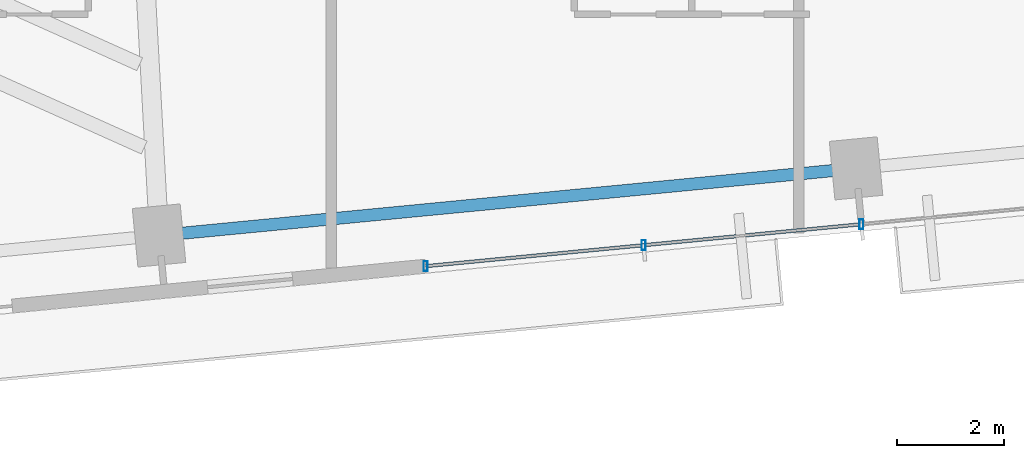
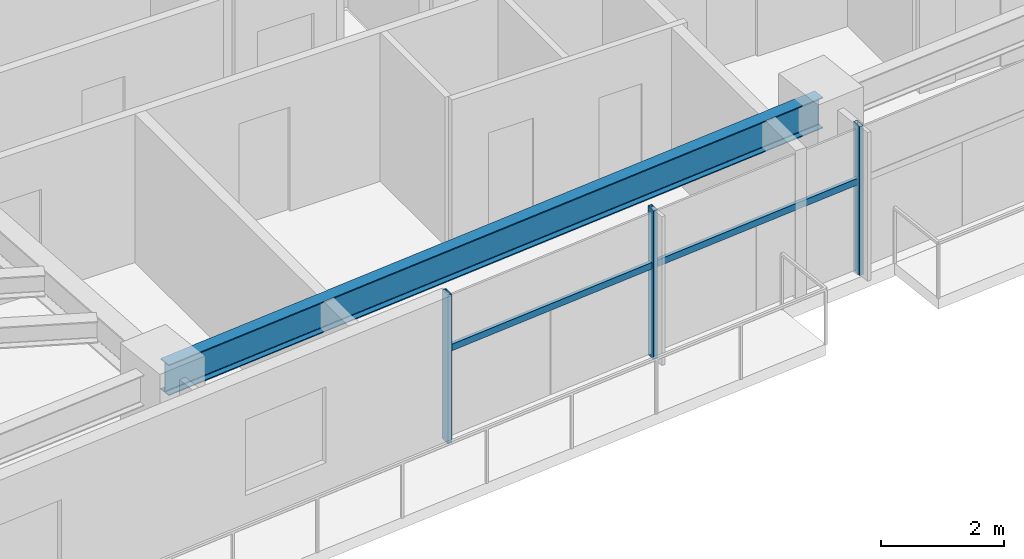
# One storey, part 6 of 27: 5 members, 1 beam, 1 element without a shape of its own.
"""IFC4 building model written with IfcOpenShell, lengths in metres."""

from ifc_helpers import new_model, si_unit, direction, frame, origin, origin_2d, place, context, subcontext, project, spatial, hollow_rectangle, i_section, extrude, source, transform, mapped, material, material_profile, profile_set, type_object, type_shapes, element, aggregate, save


model = new_model("IFC4")

# Units and contexts
model_context = context("Model", 3, precision=1e-05, world=origin(), true_north=direction((0.0, 1.0)))
body_context = subcontext(model_context, "Body", "Model", "MODEL_VIEW")
ifc_project = project(units=[si_unit("LENGTHUNIT", "METRE"), si_unit("AREAUNIT", "SQUARE_METRE"), si_unit("VOLUMEUNIT", "CUBIC_METRE"), si_unit("PLANEANGLEUNIT", "RADIAN"), si_unit("MASSUNIT", "GRAM", prefix="KILO")], contexts=[model_context])

# Site, building, storey
site_placement = place(None, origin())
site = spatial("IfcSite", under=ifc_project, at=site_placement, CompositionType="ELEMENT")
building_placement = place(site_placement, origin())
building = spatial("IfcBuilding", under=site, at=building_placement, Name="Astriad Promenade Condominiums", CompositionType="ELEMENT")
storey_placement = place(building_placement, frame((0.0, 0.0, 113.0)))
storey = spatial("IfcBuildingStorey", under=building, at=storey_placement, Name="L32", CompositionType="ELEMENT", Elevation=113.0)

# Beam
ifc_material_1 = material(Name="Steel ASTM A992 Grade 50", Category="steel")
ifc_material_profile_1 = material_profile(ifc_material_1, i_section(OverallWidth=0.22900390625, OverallDepth=0.612060546875, WebThickness=0.011962890625, FlangeThickness=0.01953125, FilletRadius=0.017822265625, at=origin_2d()), Name="W24X84")
ifc_profile_set_1 = profile_set([ifc_material_profile_1], Name="Steel ASTM A992 Grade 50")
beam_type = type_object("IfcBeamType", Name="STEEL SPANDREL BEAM W24X84", PredefinedType="SPANDREL", material=ifc_profile_set_1)
shared_shape_1 = source(origin(), body_context, "Body", "SweptSolid", [
    extrude(i_section(OverallWidth=0.22900390625, OverallDepth=0.612060546875, WebThickness=0.011962890625, FlangeThickness=0.01953125, FilletRadius=0.017822265625, at=origin_2d()), origin(), (0.0, 0.0, 1.0), 13.020263671875),
])
type_shapes(beam_type, [shared_shape_1])
beam_placement = place(storey_placement, frame((27.04541015625, 6.268798828125, 2.6337890625), z_axis=(0.995395311238, 0.095854965264, 0.0), x_axis=(-0.095854965264, 0.995395311238, 0.0)))
element("IfcBeam", 1, at=beam_placement, inside=storey, type_object=beam_type, Name="Perimeter Spandrel Beam SP-S2-L32", PredefinedType="SPANDREL", context=body_context, shape_type="MappedRepresentation", body=[
    mapped(shared_shape_1, transform((0.0, 0.0, 0.0), scale=1.0)),
])

# Curtain wall, members
ifc_material_2 = material(Name="Anodised aluminium Black Dark Glass Unitised", Category="aluminium")
curtain_wall_type = type_object("IfcCurtainWallType", Name="CW-B2-DARK", PredefinedType="USERDEFINED", material=ifc_material_2)
curtain_wall_placement = place(storey_placement, origin())
curtain_wall = element("IfcCurtainWall", 2, at=curtain_wall_placement, inside=storey, type_object=curtain_wall_type, Name="CW-L32-S", ObjectType="UNITISED_CURTAIN_WALL", PredefinedType="USERDEFINED")
ifc_material_3 = material(Name="Anodised aluminium 6063-T6 Black", Category="aluminium")
ifc_material_profile_2 = material_profile(ifc_material_3, hollow_rectangle(XDim=0.074951171875, YDim=0.18505859375, WallThickness=0.00439453125, at=origin_2d()), Name="ALU-MUL-75X185")
ifc_profile_set_2 = profile_set([ifc_material_profile_2], Name="Anodised aluminium 6063-T6 Black")
member_type_1 = type_object("IfcMemberType", Name="MUL-ALU-MUL-75X185", PredefinedType="MULLION", material=ifc_profile_set_2)
shared_shape_2 = source(origin(), body_context, "Body", "SweptSolid", [
    extrude(hollow_rectangle(XDim=0.074951171875, YDim=0.18505859375, WallThickness=0.00439453125, at=origin_2d()), origin(), (0.0, 0.0, 1.0), 2.93994140625),
])
type_shapes(member_type_1, [shared_shape_2])
member_1_placement = place(storey_placement, frame((40.14599609375, 6.475341796875, 0.0), z_axis=(0.0, 0.0, 1.0), x_axis=(1.0, 0.0, 0.0)))
member_1 = element("IfcMember", 3, at=member_1_placement, type_object=member_type_1, Name="CW-L32-S-MUL-02", PredefinedType="MULLION", context=body_context, shape_type="MappedRepresentation", body=[
    mapped(shared_shape_2, transform((0.0, 0.0, 0.0), scale=1.0)),
])
member_2_placement = place(storey_placement, frame((36.06982421875, 6.0830078125, 0.0), z_axis=(0.0, 0.0, 1.0), x_axis=(1.0, 0.0, 0.0)))
member_2 = element("IfcMember", 4, at=member_2_placement, type_object=member_type_1, Name="CW-L32-S-MUL-03", PredefinedType="MULLION", context=body_context, shape_type="MappedRepresentation", body=[
    mapped(shared_shape_2, transform((0.0, 0.0, 0.0), scale=1.0)),
])
member_3_placement = place(storey_placement, frame((31.99365234375, 5.6904296875, 0.0), z_axis=(0.0, 0.0, 1.0), x_axis=(1.0, 0.0, 0.0)))
member_3 = element("IfcMember", 5, at=member_3_placement, type_object=member_type_1, Name="CW-L32-S-MUL-04", PredefinedType="MULLION", context=body_context, shape_type="MappedRepresentation", body=[
    mapped(shared_shape_2, transform((0.0, 0.0, 0.0), scale=1.0)),
])
ifc_material_profile_3 = material_profile(ifc_material_3, hollow_rectangle(XDim=0.06494140625, YDim=0.1298828125, WallThickness=0.00390625, at=origin_2d()), Name="ALU-TRN-65X130")
ifc_profile_set_3 = profile_set([ifc_material_profile_3], Name="Anodised aluminium 6063-T6 Black")
member_type_2 = type_object("IfcMemberType", Name="TRN-ALU-TRN-65X130", PredefinedType="USERDEFINED", material=ifc_profile_set_3)
shared_shape_3 = source(origin(), body_context, "Body", "SweptSolid", [
    extrude(hollow_rectangle(XDim=0.06494140625, YDim=0.1298828125, WallThickness=0.00390625, at=origin_2d()), origin(), (0.0, 0.0, 1.0), 4.094970703125),
])
type_shapes(member_type_2, [shared_shape_3])
member_4_placement = place(storey_placement, frame((40.14599609375, 6.475341796875, 1.82275390625), z_axis=(-0.995399849002, -0.095807831657, 0.0), x_axis=(0.095807831657, -0.995399849002, 0.0)))
member_4 = element("IfcMember", 6, at=member_4_placement, type_object=member_type_2, Name="CW-L32-S-TRN-02-0", ObjectType="TRANSOM", PredefinedType="USERDEFINED", context=body_context, shape_type="MappedRepresentation", body=[
    mapped(shared_shape_3, transform((0.0, 0.0, 0.0), scale=1.0)),
])
member_5_placement = place(storey_placement, frame((36.06982421875, 6.0830078125, 1.82275390625), z_axis=(-0.995394161585, -0.09586690296, 0.0), x_axis=(0.09586690296, -0.995394161585, 0.0)))
member_5 = element("IfcMember", 7, at=member_5_placement, type_object=member_type_2, Name="CW-L32-S-TRN-03-0", ObjectType="TRANSOM", PredefinedType="USERDEFINED", context=body_context, shape_type="MappedRepresentation", body=[
    mapped(shared_shape_3, transform((0.0, 0.0, 0.0), scale=1.0)),
])
aggregate(curtain_wall, [member_1, member_2, member_3, member_4, member_5])

save(model, "model.ifc")
